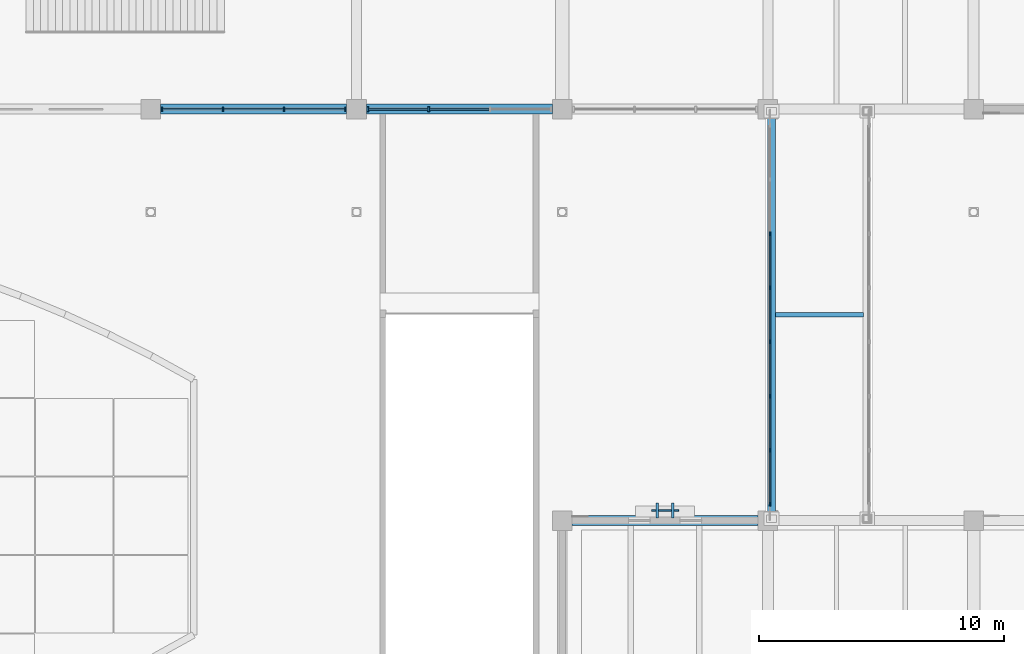
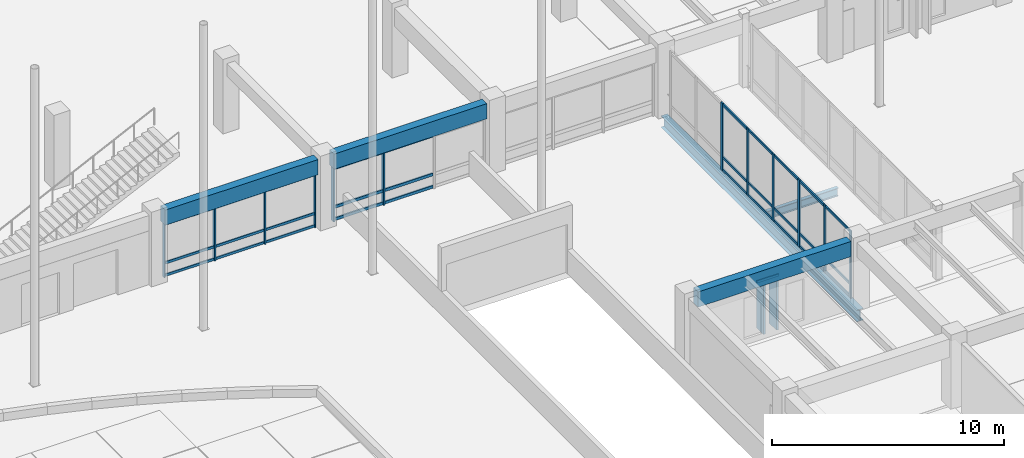
# One storey, part 58 of 135: 45 members, 5 beams, 4 elements without a shape of their own.
"""IFC4 building model written with IfcOpenShell, lengths in metres."""

from ifc_helpers import new_model, si_unit, direction, frame, origin, origin_2d, place, context, subcontext, project, spatial, rectangle, i_section, extrude, material, material_profile, profile_set, type_object, element, aggregate, save


model = new_model("IFC4")

# Units and contexts
model_context = context("Model", 3, precision=1e-05, world=origin(), true_north=direction((0.0, 1.0)))
body_context = subcontext(model_context, "Body", "Model", "MODEL_VIEW")
ifc_project = project(units=[si_unit("LENGTHUNIT", "METRE"), si_unit("AREAUNIT", "SQUARE_METRE"), si_unit("VOLUMEUNIT", "CUBIC_METRE"), si_unit("PLANEANGLEUNIT", "RADIAN"), si_unit("MASSUNIT", "GRAM", prefix="KILO")], contexts=[model_context])

# Site, building, storey
site_placement = place(None, origin())
site = spatial("IfcSite", under=ifc_project, at=site_placement, CompositionType="ELEMENT")
building_placement = place(site_placement, origin())
building = spatial("IfcBuilding", under=site, at=building_placement, Name="Cumbredor Promenade Congress Hotel", CompositionType="ELEMENT")
storey_placement = place(building_placement, origin())
storey = spatial("IfcBuildingStorey", under=building, at=storey_placement, Name="L00", CompositionType="ELEMENT", Elevation=0.0)

# Beam
ifc_material_1 = material(Name="Steel ASTM A992 Grade 50", Category="steel")
ifc_material_profile_1 = material_profile(ifc_material_1, i_section(OverallWidth=0.323974609375, OverallDepth=0.611083984375, WebThickness=0.0126953125, FlangeThickness=0.01904296875, at=origin_2d()), Name="W24X104")
ifc_profile_set_1 = profile_set([ifc_material_profile_1], Name="Steel ASTM A992 Grade 50")
beam_type_1 = type_object("IfcBeamType", Name="BM-W24X104", PredefinedType="BEAM", material=ifc_profile_set_1)
beam_1_placement = place(storey_placement, frame((151.35009765625, 67.159912109375, -0.525390625), z_axis=(0.0, 1.0, 0.0), x_axis=(-1.0, 0.0, 0.0)))
element("IfcBeam", 1, at=beam_1_placement, inside=storey, type_object=beam_type_1, Name="L00 East Ballroom-to-Forum Glazed Bridge Edge Girder 1", PredefinedType="BEAM", context=body_context, shape_type="SweptSolid", body=[
    extrude(i_section(OverallWidth=0.323974609375, OverallDepth=0.611083984375, WebThickness=0.0126953125, FlangeThickness=0.01904296875, at=origin_2d()), origin(), (0.0, 0.0, 1.0), 16.880126953125),
])

# Curtain wall, members
ifc_material_2 = material(Name="Thermally broken anodized aluminium and low-E glass", Category="aluminium")
curtain_wall_type_1 = type_object("IfcCurtainWallType", Name="Unitised Grand Foyer Curtain Wall CW-04", PredefinedType="NOTDEFINED", material=ifc_material_2)
curtain_wall_1_placement = place(storey_placement, origin())
curtain_wall_1 = element("IfcCurtainWall", 2, at=curtain_wall_1_placement, inside=storey, type_object=curtain_wall_type_1, Name="L00 Pre-Function and Breakout Meeting Forum South Curtain Wall 5", PredefinedType="NOTDEFINED")
ifc_material_3 = material(Name="Thermally broken anodized aluminium", Category="aluminium")
ifc_material_profile_2 = material_profile(ifc_material_3, rectangle(XDim=0.06494140625, YDim=0.159912109375, at=origin_2d()), Name="ALU MULLION 65x160")
ifc_profile_set_2 = profile_set([ifc_material_profile_2], Name="Thermally broken anodized aluminium")
member_type_1 = type_object("IfcMemberType", Name="Curtain Wall Mullion ML-01", PredefinedType="MULLION", material=ifc_profile_set_2)
member_1_placement = place(storey_placement, frame((126.455078125, 84.0, -0.008056640625), z_axis=(0.0, 0.0, 1.0), x_axis=(1.0, 0.0, 0.0)))
member_1 = element("IfcMember", 3, at=member_1_placement, type_object=member_type_1, Name="L00 Pre-Function and Breakout Meeting Forum South Curtain Wall 5 Mullion 1", PredefinedType="MULLION", context=body_context, shape_type="SweptSolid", body=[
    extrude(rectangle(XDim=0.06494140625, YDim=0.159912109375, at=origin_2d()), origin(), (0.0, 0.0, 1.0), 2.841064453125),
])
member_2_placement = place(storey_placement, frame((128.95166015625, 84.0, -0.008056640625), z_axis=(0.0, 0.0, 1.0), x_axis=(1.0, 0.0, 0.0)))
member_2 = element("IfcMember", 4, at=member_2_placement, type_object=member_type_1, Name="L00 Pre-Function and Breakout Meeting Forum South Curtain Wall 5 Mullion 2", PredefinedType="MULLION", context=body_context, shape_type="SweptSolid", body=[
    extrude(rectangle(XDim=0.06494140625, YDim=0.159912109375, at=origin_2d()), origin(), (0.0, 0.0, 1.0), 2.841064453125),
])
member_3_placement = place(storey_placement, frame((131.4482421875, 84.0, -0.008056640625), z_axis=(0.0, 0.0, 1.0), x_axis=(1.0, 0.0, 0.0)))
member_3 = element("IfcMember", 5, at=member_3_placement, type_object=member_type_1, Name="L00 Pre-Function and Breakout Meeting Forum South Curtain Wall 5 Mullion 3", PredefinedType="MULLION", context=body_context, shape_type="SweptSolid", body=[
    extrude(rectangle(XDim=0.06494140625, YDim=0.159912109375, at=origin_2d()), origin(), (0.0, 0.0, 1.0), 2.841064453125),
])
member_4_placement = place(storey_placement, frame((133.945068359375, 84.0, -0.008056640625), z_axis=(0.0, 0.0, 1.0), x_axis=(1.0, 0.0, 0.0)))
member_4 = element("IfcMember", 6, at=member_4_placement, type_object=member_type_1, Name="L00 Pre-Function and Breakout Meeting Forum South Curtain Wall 5 Mullion 4", PredefinedType="MULLION", context=body_context, shape_type="SweptSolid", body=[
    extrude(rectangle(XDim=0.06494140625, YDim=0.159912109375, at=origin_2d()), origin(), (0.0, 0.0, 1.0), 2.841064453125),
])

curtain_wall_type_2 = type_object("IfcCurtainWallType", Name="Unitised Bridge Glazing Screen CW-05", PredefinedType="NOTDEFINED", material=ifc_material_2)
curtain_wall_2_placement = place(storey_placement, origin())
curtain_wall_2 = element("IfcCurtainWall", 7, at=curtain_wall_2_placement, inside=storey, type_object=curtain_wall_type_2, Name="L00 East Ballroom-to-Forum Glazed Bridge West Glazing Screen", PredefinedType="NOTDEFINED")
member_5_placement = place(storey_placement, frame((151.280029296875, 67.860107421875, -0.008056640625), z_axis=(0.0, 0.0, 1.0), x_axis=(1.0, 0.0, 0.0)))
member_5 = element("IfcMember", 8, at=member_5_placement, type_object=member_type_1, Name="L00 East Ballroom-to-Forum Glazed Bridge West Glazing Screen Mullion 1", PredefinedType="MULLION", context=body_context, shape_type="SweptSolid", body=[
    extrude(rectangle(XDim=0.06494140625, YDim=0.159912109375, at=origin_2d()), origin(), (0.0, 0.0, 1.0), 3.55615234375),
])
member_6_placement = place(storey_placement, frame((151.280029296875, 70.0712890625, -0.008056640625), z_axis=(0.0, 0.0, 1.0), x_axis=(1.0, 0.0, 0.0)))
member_6 = element("IfcMember", 9, at=member_6_placement, type_object=member_type_1, Name="L00 East Ballroom-to-Forum Glazed Bridge West Glazing Screen Mullion 2", PredefinedType="MULLION", context=body_context, shape_type="SweptSolid", body=[
    extrude(rectangle(XDim=0.06494140625, YDim=0.159912109375, at=origin_2d()), origin(), (0.0, 0.0, 1.0), 3.55615234375),
])
member_7_placement = place(storey_placement, frame((151.280029296875, 72.282958984375, -0.008056640625), z_axis=(0.0, 0.0, 1.0), x_axis=(1.0, 0.0, 0.0)))
member_7 = element("IfcMember", 10, at=member_7_placement, type_object=member_type_1, Name="L00 East Ballroom-to-Forum Glazed Bridge West Glazing Screen Mullion 3", PredefinedType="MULLION", context=body_context, shape_type="SweptSolid", body=[
    extrude(rectangle(XDim=0.06494140625, YDim=0.159912109375, at=origin_2d()), origin(), (0.0, 0.0, 1.0), 3.55615234375),
])
member_8_placement = place(storey_placement, frame((151.280029296875, 74.494384765625, -0.008056640625), z_axis=(0.0, 0.0, 1.0), x_axis=(1.0, 0.0, 0.0)))
member_8 = element("IfcMember", 11, at=member_8_placement, type_object=member_type_1, Name="L00 East Ballroom-to-Forum Glazed Bridge West Glazing Screen Mullion 4", PredefinedType="MULLION", context=body_context, shape_type="SweptSolid", body=[
    extrude(rectangle(XDim=0.06494140625, YDim=0.159912109375, at=origin_2d()), origin(), (0.0, 0.0, 1.0), 3.55615234375),
])
member_9_placement = place(storey_placement, frame((151.280029296875, 76.705810546875, -0.008056640625), z_axis=(0.0, 0.0, 1.0), x_axis=(1.0, 0.0, 0.0)))
member_9 = element("IfcMember", 12, at=member_9_placement, type_object=member_type_1, Name="L00 East Ballroom-to-Forum Glazed Bridge West Glazing Screen Mullion 5", PredefinedType="MULLION", context=body_context, shape_type="SweptSolid", body=[
    extrude(rectangle(XDim=0.06494140625, YDim=0.159912109375, at=origin_2d()), origin(), (0.0, 0.0, 1.0), 3.55615234375),
])
member_10_placement = place(storey_placement, frame((151.280029296875, 78.9169921875, -0.008056640625), z_axis=(0.0, 0.0, 1.0), x_axis=(1.0, 0.0, 0.0)))
member_10 = element("IfcMember", 13, at=member_10_placement, type_object=member_type_1, Name="L00 East Ballroom-to-Forum Glazed Bridge West Glazing Screen Mullion 6", PredefinedType="MULLION", context=body_context, shape_type="SweptSolid", body=[
    extrude(rectangle(XDim=0.06494140625, YDim=0.159912109375, at=origin_2d()), origin(), (0.0, 0.0, 1.0), 3.55615234375),
])

curtain_wall_3_placement = place(storey_placement, origin())
curtain_wall_3 = element("IfcCurtainWall", 14, at=curtain_wall_3_placement, inside=storey, type_object=curtain_wall_type_1, Name="L00 Pre-Function and Breakout Meeting Forum South Curtain Wall 6", PredefinedType="NOTDEFINED")
ifc_material_profile_3 = material_profile(ifc_material_3, rectangle(XDim=0.074951171875, YDim=0.199951171875, at=origin_2d()), Name="ALU MULLION 75x200")
ifc_profile_set_3 = profile_set([ifc_material_profile_3], Name="Thermally broken anodized aluminium")
member_type_2 = type_object("IfcMemberType", Name="Curtain Wall Mullion ML-02", PredefinedType="MULLION", material=ifc_profile_set_3)
member_11_placement = place(storey_placement, frame((134.85498046875, 84.0, -0.008056640625), z_axis=(0.0, 0.0, 1.0), x_axis=(1.0, 0.0, 0.0)))
member_11 = element("IfcMember", 15, at=member_11_placement, type_object=member_type_2, Name="L00 Pre-Function and Breakout Meeting Forum South Curtain Wall 6 Mullion 1", PredefinedType="MULLION", context=body_context, shape_type="SweptSolid", body=[
    extrude(rectangle(XDim=0.074951171875, YDim=0.199951171875, at=origin_2d()), origin(), (0.0, 0.0, 1.0), 2.841064453125),
])
member_12_placement = place(storey_placement, frame((137.351806640625, 84.0, -0.008056640625), z_axis=(0.0, 0.0, 1.0), x_axis=(1.0, 0.0, 0.0)))
member_12 = element("IfcMember", 16, at=member_12_placement, type_object=member_type_2, Name="L00 Pre-Function and Breakout Meeting Forum South Curtain Wall 6 Mullion 2", PredefinedType="MULLION", context=body_context, shape_type="SweptSolid", body=[
    extrude(rectangle(XDim=0.074951171875, YDim=0.199951171875, at=origin_2d()), origin(), (0.0, 0.0, 1.0), 2.841064453125),
])

# Curtain wall, member
curtain_wall_type_3 = type_object("IfcCurtainWallType", Name="Solar Brise-Soleil Screen Assembly CW-07", PredefinedType="NOTDEFINED", material=ifc_material_2)
curtain_wall_4_placement = place(storey_placement, origin())
curtain_wall_4 = element("IfcCurtainWall", 17, at=curtain_wall_4_placement, inside=storey, type_object=curtain_wall_type_3, Name="L00 Pier Brise-Soleil Screen 0022", PredefinedType="NOTDEFINED")
ifc_material_profile_4 = material_profile(ifc_material_3, rectangle(XDim=0.06494140625, YDim=0.1298828125, at=origin_2d()), Name="ALU TRANSOM 65x130")
ifc_profile_set_4 = profile_set([ifc_material_profile_4], Name="Thermally broken anodized aluminium")
member_type_3 = type_object("IfcMemberType", Name="Curtain Wall Transom TR-01", PredefinedType="USERDEFINED", material=ifc_profile_set_4)
member_13_placement = place(storey_placement, frame((146.449951171875, 67.610107421875, 2.6650390625), z_axis=(1.0, 0.0, 0.0), x_axis=(0.0, 1.0, 0.0)))
member_13 = element("IfcMember", 18, at=member_13_placement, type_object=member_type_3, Name="L00 Pier Brise-Soleil Header 0024", ObjectType="TRANSOM", PredefinedType="USERDEFINED", context=body_context, shape_type="SweptSolid", body=[
    extrude(rectangle(XDim=0.06494140625, YDim=0.1298828125, at=origin_2d()), origin(), (0.0, 0.0, 1.0), 1.10009765625),
])

# Member
member_14_placement = place(storey_placement, frame((126.487548828125, 84.0, 0.070068359375), z_axis=(1.0, 0.0, 0.0), x_axis=(0.0, 1.0, 0.0)))
member_14 = element("IfcMember", 19, at=member_14_placement, type_object=member_type_3, Name="L00 Pre-Function and Breakout Meeting Forum South Curtain Wall 5 Transom 1.1", ObjectType="TRANSOM", PredefinedType="USERDEFINED", context=body_context, shape_type="SweptSolid", body=[
    extrude(rectangle(XDim=0.06494140625, YDim=0.1298828125, at=origin_2d()), origin(), (0.0, 0.0, 1.0), 2.431640625),
])

member_15_placement = place(storey_placement, frame((126.487548828125, 84.0, 0.719970703125), z_axis=(1.0, 0.0, 0.0), x_axis=(0.0, 1.0, 0.0)))
member_15 = element("IfcMember", 20, at=member_15_placement, type_object=member_type_3, Name="L00 Pre-Function and Breakout Meeting Forum South Curtain Wall 5 Transom 1.2", ObjectType="TRANSOM", PredefinedType="USERDEFINED", context=body_context, shape_type="SweptSolid", body=[
    extrude(rectangle(XDim=0.06494140625, YDim=0.1298828125, at=origin_2d()), origin(), (0.0, 0.0, 1.0), 2.431640625),
])

member_16_placement = place(storey_placement, frame((126.487548828125, 84.0, 2.760009765625), z_axis=(1.0, 0.0, 0.0), x_axis=(0.0, 1.0, 0.0)))
member_16 = element("IfcMember", 21, at=member_16_placement, type_object=member_type_3, Name="L00 Pre-Function and Breakout Meeting Forum South Curtain Wall 5 Transom 1.3", ObjectType="TRANSOM", PredefinedType="USERDEFINED", context=body_context, shape_type="SweptSolid", body=[
    extrude(rectangle(XDim=0.06494140625, YDim=0.1298828125, at=origin_2d()), origin(), (0.0, 0.0, 1.0), 2.431640625),
])

member_17_placement = place(storey_placement, frame((128.984130859375, 84.0, 0.070068359375), z_axis=(1.0, 0.0, 0.0), x_axis=(0.0, 1.0, 0.0)))
member_17 = element("IfcMember", 22, at=member_17_placement, type_object=member_type_3, Name="L00 Pre-Function and Breakout Meeting Forum South Curtain Wall 5 Transom 2.1", ObjectType="TRANSOM", PredefinedType="USERDEFINED", context=body_context, shape_type="SweptSolid", body=[
    extrude(rectangle(XDim=0.06494140625, YDim=0.1298828125, at=origin_2d()), origin(), (0.0, 0.0, 1.0), 2.431640625),
])

member_18_placement = place(storey_placement, frame((128.984130859375, 84.0, 0.719970703125), z_axis=(1.0, 0.0, 0.0), x_axis=(0.0, 1.0, 0.0)))
member_18 = element("IfcMember", 23, at=member_18_placement, type_object=member_type_3, Name="L00 Pre-Function and Breakout Meeting Forum South Curtain Wall 5 Transom 2.2", ObjectType="TRANSOM", PredefinedType="USERDEFINED", context=body_context, shape_type="SweptSolid", body=[
    extrude(rectangle(XDim=0.06494140625, YDim=0.1298828125, at=origin_2d()), origin(), (0.0, 0.0, 1.0), 2.431640625),
])

member_19_placement = place(storey_placement, frame((128.984130859375, 84.0, 2.760009765625), z_axis=(1.0, 0.0, 0.0), x_axis=(0.0, 1.0, 0.0)))
member_19 = element("IfcMember", 24, at=member_19_placement, type_object=member_type_3, Name="L00 Pre-Function and Breakout Meeting Forum South Curtain Wall 5 Transom 2.3", ObjectType="TRANSOM", PredefinedType="USERDEFINED", context=body_context, shape_type="SweptSolid", body=[
    extrude(rectangle(XDim=0.06494140625, YDim=0.1298828125, at=origin_2d()), origin(), (0.0, 0.0, 1.0), 2.431640625),
])

member_20_placement = place(storey_placement, frame((131.480712890625, 84.0, 0.070068359375), z_axis=(1.0, 0.0, 0.0), x_axis=(0.0, 1.0, 0.0)))
member_20 = element("IfcMember", 25, at=member_20_placement, type_object=member_type_3, Name="L00 Pre-Function and Breakout Meeting Forum South Curtain Wall 5 Transom 3.1", ObjectType="TRANSOM", PredefinedType="USERDEFINED", context=body_context, shape_type="SweptSolid", body=[
    extrude(rectangle(XDim=0.06494140625, YDim=0.1298828125, at=origin_2d()), origin(), (0.0, 0.0, 1.0), 2.431884765625),
])

member_21_placement = place(storey_placement, frame((131.480712890625, 84.0, 0.719970703125), z_axis=(1.0, 0.0, 0.0), x_axis=(0.0, 1.0, 0.0)))
member_21 = element("IfcMember", 26, at=member_21_placement, type_object=member_type_3, Name="L00 Pre-Function and Breakout Meeting Forum South Curtain Wall 5 Transom 3.2", ObjectType="TRANSOM", PredefinedType="USERDEFINED", context=body_context, shape_type="SweptSolid", body=[
    extrude(rectangle(XDim=0.06494140625, YDim=0.1298828125, at=origin_2d()), origin(), (0.0, 0.0, 1.0), 2.431884765625),
])

member_22_placement = place(storey_placement, frame((131.480712890625, 84.0, 2.760009765625), z_axis=(1.0, 0.0, 0.0), x_axis=(0.0, 1.0, 0.0)))
member_22 = element("IfcMember", 27, at=member_22_placement, type_object=member_type_3, Name="L00 Pre-Function and Breakout Meeting Forum South Curtain Wall 5 Transom 3.3", ObjectType="TRANSOM", PredefinedType="USERDEFINED", context=body_context, shape_type="SweptSolid", body=[
    extrude(rectangle(XDim=0.06494140625, YDim=0.1298828125, at=origin_2d()), origin(), (0.0, 0.0, 1.0), 2.431884765625),
])

aggregate(curtain_wall_1, [member_1, member_2, member_3, member_4, member_14, member_15, member_16, member_17, member_18, member_19, member_20, member_21, member_22])

member_23_placement = place(storey_placement, frame((151.280029296875, 67.892578125, 0.070068359375), z_axis=(0.0, 1.0, 0.0), x_axis=(-1.0, 0.0, 0.0)))
member_23 = element("IfcMember", 28, at=member_23_placement, type_object=member_type_3, Name="L00 East Ballroom-to-Forum Glazed Bridge West Glazing Screen Transom 1.1", ObjectType="TRANSOM", PredefinedType="USERDEFINED", context=body_context, shape_type="SweptSolid", body=[
    extrude(rectangle(XDim=0.06494140625, YDim=0.1298828125, at=origin_2d()), origin(), (0.0, 0.0, 1.0), 2.146240234375),
])

member_24_placement = place(storey_placement, frame((151.280029296875, 67.892578125, 0.719970703125), z_axis=(0.0, 1.0, 0.0), x_axis=(-1.0, 0.0, 0.0)))
member_24 = element("IfcMember", 29, at=member_24_placement, type_object=member_type_3, Name="L00 East Ballroom-to-Forum Glazed Bridge West Glazing Screen Transom 1.2", ObjectType="TRANSOM", PredefinedType="USERDEFINED", context=body_context, shape_type="SweptSolid", body=[
    extrude(rectangle(XDim=0.06494140625, YDim=0.1298828125, at=origin_2d()), origin(), (0.0, 0.0, 1.0), 2.146240234375),
])

member_25_placement = place(storey_placement, frame((151.280029296875, 67.892578125, 3.47998046875), z_axis=(0.0, 1.0, 0.0), x_axis=(-1.0, 0.0, 0.0)))
member_25 = element("IfcMember", 30, at=member_25_placement, type_object=member_type_3, Name="L00 East Ballroom-to-Forum Glazed Bridge West Glazing Screen Transom 1.3", ObjectType="TRANSOM", PredefinedType="USERDEFINED", context=body_context, shape_type="SweptSolid", body=[
    extrude(rectangle(XDim=0.06494140625, YDim=0.1298828125, at=origin_2d()), origin(), (0.0, 0.0, 1.0), 2.146240234375),
])

member_26_placement = place(storey_placement, frame((151.280029296875, 70.10400390625, 0.070068359375), z_axis=(0.0, 1.0, 0.0), x_axis=(-1.0, 0.0, 0.0)))
member_26 = element("IfcMember", 31, at=member_26_placement, type_object=member_type_3, Name="L00 East Ballroom-to-Forum Glazed Bridge West Glazing Screen Transom 2.1", ObjectType="TRANSOM", PredefinedType="USERDEFINED", context=body_context, shape_type="SweptSolid", body=[
    extrude(rectangle(XDim=0.06494140625, YDim=0.1298828125, at=origin_2d()), origin(), (0.0, 0.0, 1.0), 2.146484375),
])

member_27_placement = place(storey_placement, frame((151.280029296875, 70.10400390625, 0.719970703125), z_axis=(0.0, 1.0, 0.0), x_axis=(-1.0, 0.0, 0.0)))
member_27 = element("IfcMember", 32, at=member_27_placement, type_object=member_type_3, Name="L00 East Ballroom-to-Forum Glazed Bridge West Glazing Screen Transom 2.2", ObjectType="TRANSOM", PredefinedType="USERDEFINED", context=body_context, shape_type="SweptSolid", body=[
    extrude(rectangle(XDim=0.06494140625, YDim=0.1298828125, at=origin_2d()), origin(), (0.0, 0.0, 1.0), 2.146484375),
])

member_28_placement = place(storey_placement, frame((151.280029296875, 70.10400390625, 3.47998046875), z_axis=(0.0, 1.0, 0.0), x_axis=(-1.0, 0.0, 0.0)))
member_28 = element("IfcMember", 33, at=member_28_placement, type_object=member_type_3, Name="L00 East Ballroom-to-Forum Glazed Bridge West Glazing Screen Transom 2.3", ObjectType="TRANSOM", PredefinedType="USERDEFINED", context=body_context, shape_type="SweptSolid", body=[
    extrude(rectangle(XDim=0.06494140625, YDim=0.1298828125, at=origin_2d()), origin(), (0.0, 0.0, 1.0), 2.146484375),
])

member_29_placement = place(storey_placement, frame((151.280029296875, 72.3154296875, 0.070068359375), z_axis=(0.0, 1.0, 0.0), x_axis=(-1.0, 0.0, 0.0)))
member_29 = element("IfcMember", 34, at=member_29_placement, type_object=member_type_3, Name="L00 East Ballroom-to-Forum Glazed Bridge West Glazing Screen Transom 3.1", ObjectType="TRANSOM", PredefinedType="USERDEFINED", context=body_context, shape_type="SweptSolid", body=[
    extrude(rectangle(XDim=0.06494140625, YDim=0.1298828125, at=origin_2d()), origin(), (0.0, 0.0, 1.0), 2.146484375),
])

member_30_placement = place(storey_placement, frame((151.280029296875, 72.3154296875, 0.719970703125), z_axis=(0.0, 1.0, 0.0), x_axis=(-1.0, 0.0, 0.0)))
member_30 = element("IfcMember", 35, at=member_30_placement, type_object=member_type_3, Name="L00 East Ballroom-to-Forum Glazed Bridge West Glazing Screen Transom 3.2", ObjectType="TRANSOM", PredefinedType="USERDEFINED", context=body_context, shape_type="SweptSolid", body=[
    extrude(rectangle(XDim=0.06494140625, YDim=0.1298828125, at=origin_2d()), origin(), (0.0, 0.0, 1.0), 2.146484375),
])

member_31_placement = place(storey_placement, frame((151.280029296875, 72.3154296875, 3.47998046875), z_axis=(0.0, 1.0, 0.0), x_axis=(-1.0, 0.0, 0.0)))
member_31 = element("IfcMember", 36, at=member_31_placement, type_object=member_type_3, Name="L00 East Ballroom-to-Forum Glazed Bridge West Glazing Screen Transom 3.3", ObjectType="TRANSOM", PredefinedType="USERDEFINED", context=body_context, shape_type="SweptSolid", body=[
    extrude(rectangle(XDim=0.06494140625, YDim=0.1298828125, at=origin_2d()), origin(), (0.0, 0.0, 1.0), 2.146484375),
])

member_32_placement = place(storey_placement, frame((151.280029296875, 74.52685546875, 0.070068359375), z_axis=(0.0, 1.0, 0.0), x_axis=(-1.0, 0.0, 0.0)))
member_32 = element("IfcMember", 37, at=member_32_placement, type_object=member_type_3, Name="L00 East Ballroom-to-Forum Glazed Bridge West Glazing Screen Transom 4.1", ObjectType="TRANSOM", PredefinedType="USERDEFINED", context=body_context, shape_type="SweptSolid", body=[
    extrude(rectangle(XDim=0.06494140625, YDim=0.1298828125, at=origin_2d()), origin(), (0.0, 0.0, 1.0), 2.146240234375),
])

member_33_placement = place(storey_placement, frame((151.280029296875, 74.52685546875, 0.719970703125), z_axis=(0.0, 1.0, 0.0), x_axis=(-1.0, 0.0, 0.0)))
member_33 = element("IfcMember", 38, at=member_33_placement, type_object=member_type_3, Name="L00 East Ballroom-to-Forum Glazed Bridge West Glazing Screen Transom 4.2", ObjectType="TRANSOM", PredefinedType="USERDEFINED", context=body_context, shape_type="SweptSolid", body=[
    extrude(rectangle(XDim=0.06494140625, YDim=0.1298828125, at=origin_2d()), origin(), (0.0, 0.0, 1.0), 2.146240234375),
])

member_34_placement = place(storey_placement, frame((151.280029296875, 74.52685546875, 3.47998046875), z_axis=(0.0, 1.0, 0.0), x_axis=(-1.0, 0.0, 0.0)))
member_34 = element("IfcMember", 39, at=member_34_placement, type_object=member_type_3, Name="L00 East Ballroom-to-Forum Glazed Bridge West Glazing Screen Transom 4.3", ObjectType="TRANSOM", PredefinedType="USERDEFINED", context=body_context, shape_type="SweptSolid", body=[
    extrude(rectangle(XDim=0.06494140625, YDim=0.1298828125, at=origin_2d()), origin(), (0.0, 0.0, 1.0), 2.146240234375),
])

member_35_placement = place(storey_placement, frame((151.280029296875, 76.73828125, 0.070068359375), z_axis=(0.0, 1.0, 0.0), x_axis=(-1.0, 0.0, 0.0)))
member_35 = element("IfcMember", 40, at=member_35_placement, type_object=member_type_3, Name="L00 East Ballroom-to-Forum Glazed Bridge West Glazing Screen Transom 5.1", ObjectType="TRANSOM", PredefinedType="USERDEFINED", context=body_context, shape_type="SweptSolid", body=[
    extrude(rectangle(XDim=0.06494140625, YDim=0.1298828125, at=origin_2d()), origin(), (0.0, 0.0, 1.0), 2.146240234375),
])

member_36_placement = place(storey_placement, frame((151.280029296875, 76.73828125, 0.719970703125), z_axis=(0.0, 1.0, 0.0), x_axis=(-1.0, 0.0, 0.0)))
member_36 = element("IfcMember", 41, at=member_36_placement, type_object=member_type_3, Name="L00 East Ballroom-to-Forum Glazed Bridge West Glazing Screen Transom 5.2", ObjectType="TRANSOM", PredefinedType="USERDEFINED", context=body_context, shape_type="SweptSolid", body=[
    extrude(rectangle(XDim=0.06494140625, YDim=0.1298828125, at=origin_2d()), origin(), (0.0, 0.0, 1.0), 2.146240234375),
])

member_37_placement = place(storey_placement, frame((151.280029296875, 76.73828125, 3.47998046875), z_axis=(0.0, 1.0, 0.0), x_axis=(-1.0, 0.0, 0.0)))
member_37 = element("IfcMember", 42, at=member_37_placement, type_object=member_type_3, Name="L00 East Ballroom-to-Forum Glazed Bridge West Glazing Screen Transom 5.3", ObjectType="TRANSOM", PredefinedType="USERDEFINED", context=body_context, shape_type="SweptSolid", body=[
    extrude(rectangle(XDim=0.06494140625, YDim=0.1298828125, at=origin_2d()), origin(), (0.0, 0.0, 1.0), 2.146240234375),
])

aggregate(curtain_wall_2, [member_5, member_6, member_7, member_8, member_9, member_10, member_23, member_24, member_25, member_26, member_27, member_28, member_29, member_30, member_31, member_32, member_33, member_34, member_35, member_36, member_37])

ifc_material_profile_5 = material_profile(ifc_material_3, rectangle(XDim=0.074951171875, YDim=0.14990234375, at=origin_2d()), Name="ALU TRANSOM 75x150")
ifc_profile_set_5 = profile_set([ifc_material_profile_5], Name="Thermally broken anodized aluminium")
member_type_4 = type_object("IfcMemberType", Name="Curtain Wall Transom TR-02", PredefinedType="USERDEFINED", material=ifc_profile_set_5)
member_38_placement = place(storey_placement, frame((134.892578125, 84.0, 0.070068359375), z_axis=(1.0, 0.0, 0.0), x_axis=(0.0, 1.0, 0.0)))
member_38 = element("IfcMember", 43, at=member_38_placement, type_object=member_type_4, Name="L00 Pre-Function and Breakout Meeting Forum South Curtain Wall 6 Transom 1.1", ObjectType="TRANSOM", PredefinedType="USERDEFINED", context=body_context, shape_type="SweptSolid", body=[
    extrude(rectangle(XDim=0.074951171875, YDim=0.14990234375, at=origin_2d()), origin(), (0.0, 0.0, 1.0), 2.421630859375),
])

member_39_placement = place(storey_placement, frame((134.892578125, 84.0, 0.719970703125), z_axis=(1.0, 0.0, 0.0), x_axis=(0.0, 1.0, 0.0)))
member_39 = element("IfcMember", 44, at=member_39_placement, type_object=member_type_4, Name="L00 Pre-Function and Breakout Meeting Forum South Curtain Wall 6 Transom 1.2", ObjectType="TRANSOM", PredefinedType="USERDEFINED", context=body_context, shape_type="SweptSolid", body=[
    extrude(rectangle(XDim=0.074951171875, YDim=0.14990234375, at=origin_2d()), origin(), (0.0, 0.0, 1.0), 2.421630859375),
])

member_40_placement = place(storey_placement, frame((134.892578125, 84.0, 2.75), z_axis=(1.0, 0.0, 0.0), x_axis=(0.0, 1.0, 0.0)))
member_40 = element("IfcMember", 45, at=member_40_placement, type_object=member_type_4, Name="L00 Pre-Function and Breakout Meeting Forum South Curtain Wall 6 Transom 1.3", ObjectType="TRANSOM", PredefinedType="USERDEFINED", context=body_context, shape_type="SweptSolid", body=[
    extrude(rectangle(XDim=0.074951171875, YDim=0.14990234375, at=origin_2d()), origin(), (0.0, 0.0, 1.0), 2.421630859375),
])

member_41_placement = place(storey_placement, frame((137.38916015625, 84.0, 0.070068359375), z_axis=(1.0, 0.0, 0.0), x_axis=(0.0, 1.0, 0.0)))
member_41 = element("IfcMember", 46, at=member_41_placement, type_object=member_type_4, Name="L00 Pre-Function and Breakout Meeting Forum South Curtain Wall 6 Transom 2.1", ObjectType="TRANSOM", PredefinedType="USERDEFINED", context=body_context, shape_type="SweptSolid", body=[
    extrude(rectangle(XDim=0.074951171875, YDim=0.14990234375, at=origin_2d()), origin(), (0.0, 0.0, 1.0), 2.421630859375),
])

member_42_placement = place(storey_placement, frame((137.38916015625, 84.0, 0.719970703125), z_axis=(1.0, 0.0, 0.0), x_axis=(0.0, 1.0, 0.0)))
member_42 = element("IfcMember", 47, at=member_42_placement, type_object=member_type_4, Name="L00 Pre-Function and Breakout Meeting Forum South Curtain Wall 6 Transom 2.2", ObjectType="TRANSOM", PredefinedType="USERDEFINED", context=body_context, shape_type="SweptSolid", body=[
    extrude(rectangle(XDim=0.074951171875, YDim=0.14990234375, at=origin_2d()), origin(), (0.0, 0.0, 1.0), 2.421630859375),
])

member_43_placement = place(storey_placement, frame((137.38916015625, 84.0, 2.75), z_axis=(1.0, 0.0, 0.0), x_axis=(0.0, 1.0, 0.0)))
member_43 = element("IfcMember", 48, at=member_43_placement, type_object=member_type_4, Name="L00 Pre-Function and Breakout Meeting Forum South Curtain Wall 6 Transom 2.3", ObjectType="TRANSOM", PredefinedType="USERDEFINED", context=body_context, shape_type="SweptSolid", body=[
    extrude(rectangle(XDim=0.074951171875, YDim=0.14990234375, at=origin_2d()), origin(), (0.0, 0.0, 1.0), 2.421630859375),
])

aggregate(curtain_wall_3, [member_11, member_12, member_38, member_39, member_40, member_41, member_42, member_43])

# Beams
ifc_material_profile_6 = material_profile(ifc_material_1, i_section(OverallWidth=0.180908203125, OverallDepth=0.4169921875, WebThickness=0.010986328125, FlangeThickness=0.018310546875, at=origin_2d()), Name="W16X57")
ifc_profile_set_6 = profile_set([ifc_material_profile_6], Name="Steel ASTM A992 Grade 50")
beam_type_2 = type_object("IfcBeamType", Name="JST-W16X57", PredefinedType="JOIST", material=ifc_profile_set_6)
beam_2_placement = place(storey_placement, frame((151.5, 75.60009765625, -0.428466796875), z_axis=(1.0, 0.0, 0.0), x_axis=(0.0, 1.0, 0.0)))
element("IfcBeam", 49, at=beam_2_placement, inside=storey, type_object=beam_type_2, Name="L00 East Ballroom-to-Forum Glazed Bridge Cross Beam", PredefinedType="JOIST", context=body_context, shape_type="SweptSolid", body=[
    extrude(i_section(OverallWidth=0.180908203125, OverallDepth=0.4169921875, WebThickness=0.010986328125, FlangeThickness=0.018310546875, at=origin_2d()), origin(), (0.0, 0.0, 1.0), 3.60009765625),
])
ifc_material_4 = material(Name="Concrete C40/50", Category="concrete")
ifc_material_profile_7 = material_profile(ifc_material_4, rectangle(XDim=0.39990234375, YDim=0.800048828125, at=origin_2d()), Name="RC SPANDREL 400x800")
ifc_profile_set_7 = profile_set([ifc_material_profile_7], Name="Concrete C40/50")
beam_type_3 = type_object("IfcBeamType", Name="SP-RC-400x800", PredefinedType="SPANDREL", material=ifc_profile_set_7)
beam_3_placement = place(storey_placement, frame((126.39990234375, 84.0, 3.239990234375), z_axis=(1.0, 0.0, 0.0), x_axis=(0.0, 1.0, 0.0)))
element("IfcBeam", 50, at=beam_3_placement, inside=storey, type_object=beam_type_3, Name="L01 X-Grid Beam 206", PredefinedType="SPANDREL", context=body_context, shape_type="SweptSolid", body=[
    extrude(rectangle(XDim=0.39990234375, YDim=0.800048828125, at=origin_2d()), origin(), (0.0, 0.0, 1.0), 7.60009765625),
])
beam_4_placement = place(storey_placement, frame((134.800048828125, 84.0, 3.239990234375), z_axis=(1.0, 0.0, 0.0), x_axis=(0.0, 1.0, 0.0)))
element("IfcBeam", 51, at=beam_4_placement, inside=storey, type_object=beam_type_3, Name="L01 X-Grid Beam 209", PredefinedType="SPANDREL", context=body_context, shape_type="SweptSolid", body=[
    extrude(rectangle(XDim=0.39990234375, YDim=0.800048828125, at=origin_2d()), origin(), (0.0, 0.0, 1.0), 7.599853515625),
])
beam_5_placement = place(storey_placement, frame((143.199951171875, 67.199951171875, 3.239990234375), z_axis=(1.0, 0.0, 0.0), x_axis=(0.0, 1.0, 0.0)))
element("IfcBeam", 52, at=beam_5_placement, inside=storey, type_object=beam_type_3, Name="L01 X-Grid Beam 223", PredefinedType="SPANDREL", context=body_context, shape_type="SweptSolid", body=[
    extrude(rectangle(XDim=0.39990234375, YDim=0.800048828125, at=origin_2d()), origin(), (0.0, 0.0, 1.0), 7.60009765625),
])

# Member
ifc_material_profile_8 = material_profile(ifc_material_3, rectangle(XDim=0.110107421875, YDim=0.6201171875, at=origin_2d()), Name="ARCH FIN 110x620")
ifc_profile_set_8 = profile_set([ifc_material_profile_8], Name="Thermally broken anodized aluminium")
member_type_5 = type_object("IfcMemberType", Name="Vertical Bronze Brise-Soleil Fin BSF-02 110x620", PredefinedType="USERDEFINED", material=ifc_profile_set_8)
member_44_placement = place(storey_placement, frame((146.679931640625, 67.610107421875, 0.02001953125), z_axis=(0.0, 0.0, 1.0), x_axis=(1.0, 0.0, 0.0)))
member_44 = element("IfcMember", 53, at=member_44_placement, type_object=member_type_5, Name="L00 Pier Brise-Soleil Fin 0023", ObjectType="SOLAR FIN", PredefinedType="USERDEFINED", context=body_context, shape_type="SweptSolid", body=[
    extrude(rectangle(XDim=0.110107421875, YDim=0.6201171875, at=origin_2d()), origin(), (0.0, 0.0, 1.0), 2.68505859375),
])

member_45_placement = place(storey_placement, frame((147.320068359375, 67.610107421875, 0.02001953125), z_axis=(0.0, 0.0, 1.0), x_axis=(1.0, 0.0, 0.0)))
member_45 = element("IfcMember", 54, at=member_45_placement, type_object=member_type_5, Name="L00 Pier Brise-Soleil Fin 0024", ObjectType="SOLAR FIN", PredefinedType="USERDEFINED", context=body_context, shape_type="SweptSolid", body=[
    extrude(rectangle(XDim=0.110107421875, YDim=0.6201171875, at=origin_2d()), origin(), (0.0, 0.0, 1.0), 2.68505859375),
])

aggregate(curtain_wall_4, [member_44, member_45, member_13])

save(model, "model.ifc")
